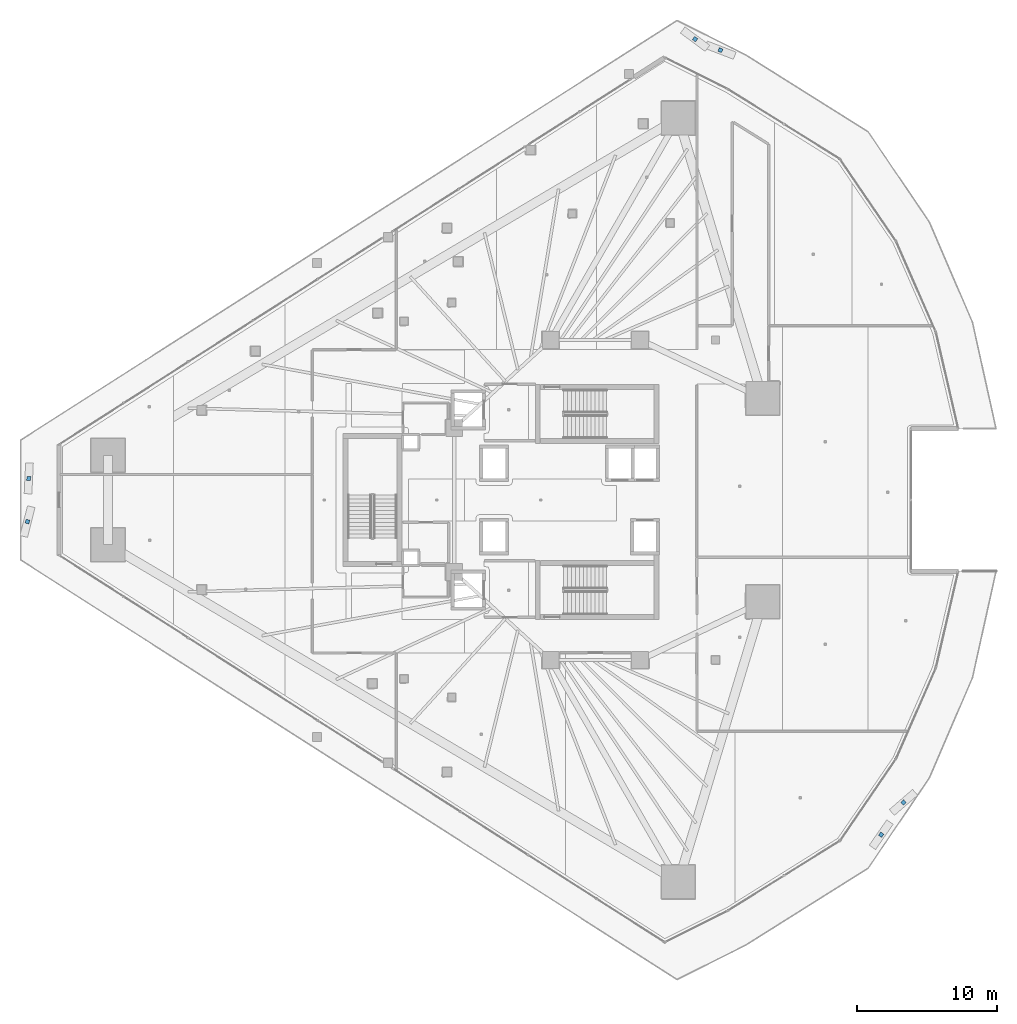
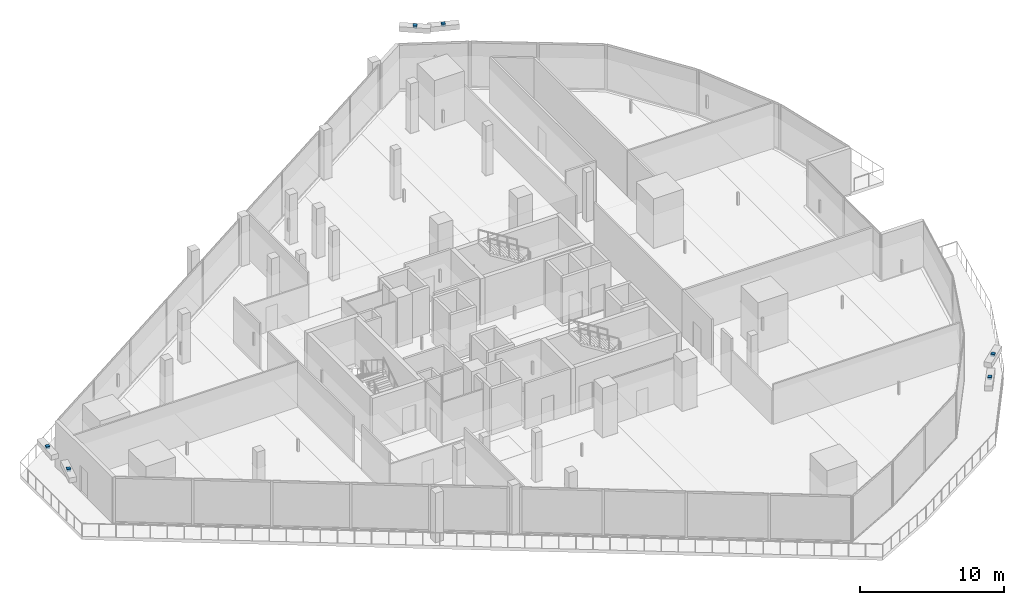
# One storey, part 36 of 45: 6 discrete accessories.
"""IFC4 building model written with IfcOpenShell, lengths in metres."""

from ifc_helpers import new_model, si_unit, direction, frame, origin, origin_2d, place, context, subcontext, project, spatial, rectangle, extrude, material, type_object, element, save


model = new_model("IFC4")

# Units and contexts
model_context = context("Model", 3, precision=1e-05, world=origin(), true_north=direction((0.0, 1.0)))
body_context = subcontext(model_context, "Body", "Model", "MODEL_VIEW")
ifc_project = project(units=[si_unit("LENGTHUNIT", "METRE"), si_unit("AREAUNIT", "SQUARE_METRE"), si_unit("VOLUMEUNIT", "CUBIC_METRE"), si_unit("PLANEANGLEUNIT", "RADIAN"), si_unit("MASSUNIT", "GRAM", prefix="KILO")], contexts=[model_context])

# Site, building, storey
site_placement = place(None, origin())
site = spatial("IfcSite", under=ifc_project, at=site_placement, CompositionType="ELEMENT")
building_placement = place(site_placement, origin())
building = spatial("IfcBuilding", under=site, at=building_placement, Name="Qorvath Tower", CompositionType="ELEMENT")
storey_placement = place(building_placement, frame((0.0, 0.0, 95.39990234375)))
storey = spatial("IfcBuildingStorey", under=building, at=storey_placement, Name="L21", CompositionType="ELEMENT", Elevation=95.39990234375)

# Discrete accessories
ifc_material = material(Name="Galvanised steel bracket", Category="steel")
discrete_accessory_type = type_object("IfcDiscreteAccessoryType", Name="DA-BRACKET", PredefinedType="BRACKET", material=ifc_material)
for number, where, z_axis, x_axis, name in (
    (1, (-60.955078125, 1.544921875, 3.76025390625), (0.0, 0.0, 1.0), (-0.046696749705, -0.998909111765, 0.0), "Louvre Wave Support Bracket L21-01"),
    (2, (-61.044189453125, -1.544921875, 3.76025390625), (0.0, 0.0, 1.0), (-0.244149882443, -0.969737508248, 0.0), "Louvre Wave Support Bracket L21-02"),
    (3, (0.050537109375, -23.954833984375, 3.76025390625), (0.0, 0.0, 1.0), (0.569454569794, 0.822022805609, 0.0), "Louvre Wave Support Bracket L21-03"),
    (4, (1.647705078125, -21.642578125, 3.76025390625), (0.0, 0.0, 1.0), (0.755818043174, 0.654781708367, 0.0), "Louvre Wave Support Bracket L21-04"),
    (5, (-11.4560546875, 32.19384765625, 3.76025390625), (0.0, 0.0, 1.0), (-0.933311211481, 0.359068492804, 0.0), "Louvre Wave Support Bracket L21-05"),
    (6, (-13.268798828125, 32.982421875, 3.76025390625), (0.0, 0.0, 1.0), (-0.803103550105, 0.595839481579, 0.0), "Louvre Wave Support Bracket L21-06"),
):
    element("IfcDiscreteAccessory", number, at=place(storey_placement, frame(where, z_axis=z_axis, x_axis=x_axis)), inside=storey, type_object=discrete_accessory_type, Name=name, PredefinedType="NOTDEFINED", context=body_context, shape_type="SweptSolid", body=[
        extrude(rectangle(XDim=0.280029296875, YDim=0.280029296875, at=origin_2d()), origin(), (0.0, 0.0, 1.0), 0.199951171875),
    ])

save(model, "model.ifc")
